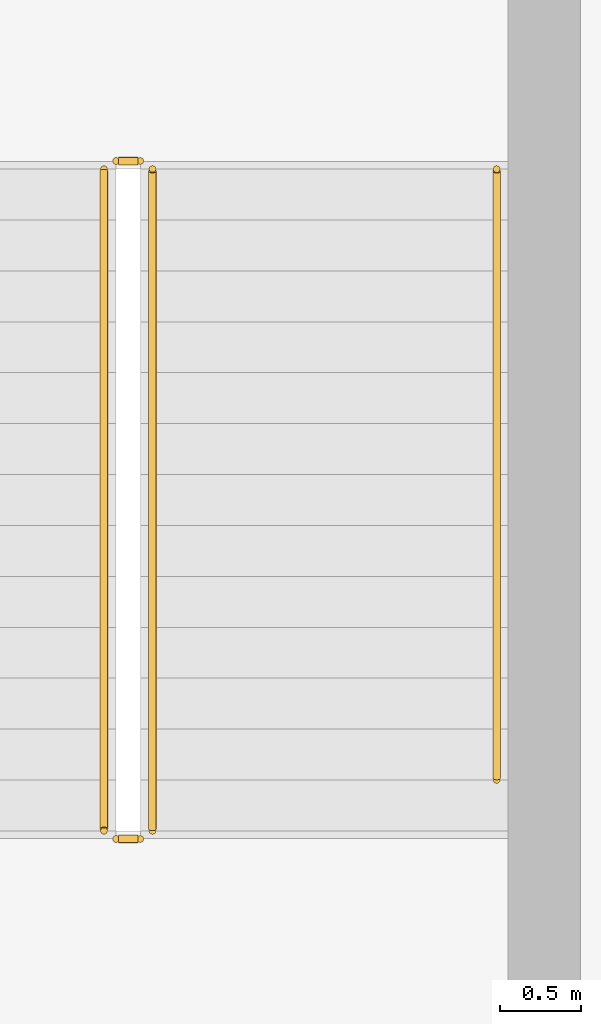
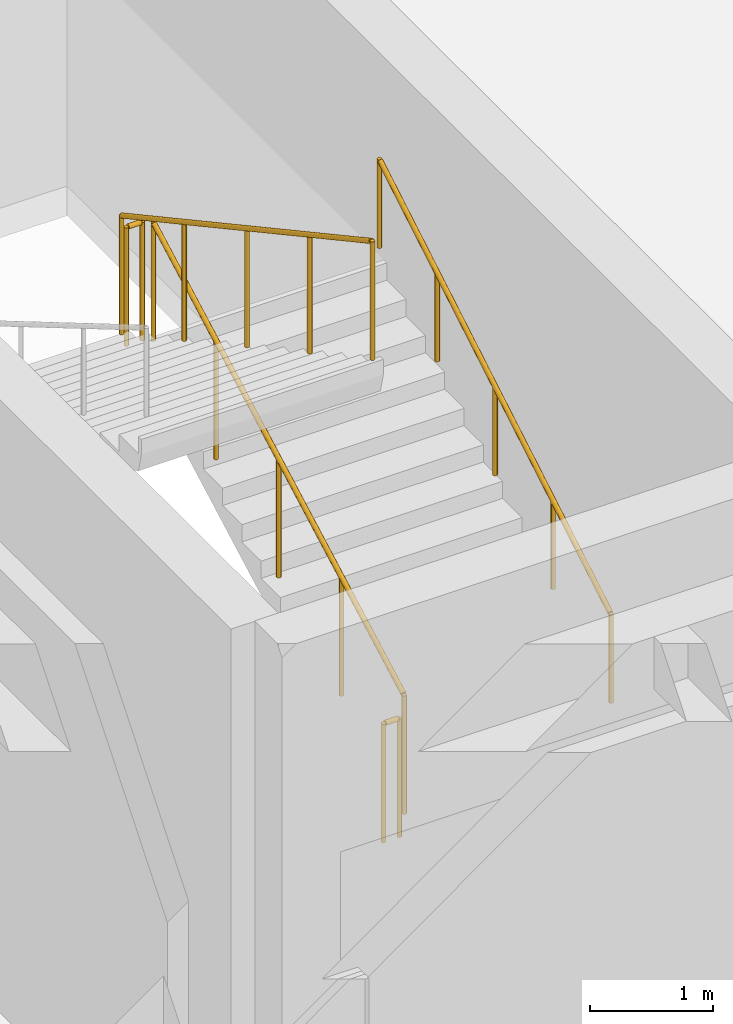
# One storey, part 127 of 133: 5 railings.
"""IFC4 building model written with IfcOpenShell, lengths in metres."""

from ifc_helpers import new_model, si_unit, direction, frame, origin, origin_2d, place, context, subcontext, project, spatial, circle, extrude, material, type_object, element, save


model = new_model("IFC4")

# Units and contexts
model_context = context("Model", 3, precision=1e-05, world=origin(), true_north=direction((0.0, 1.0)))
body_context = subcontext(model_context, "Body", "Model", "MODEL_VIEW")
ifc_project = project(units=[si_unit("LENGTHUNIT", "METRE"), si_unit("AREAUNIT", "SQUARE_METRE"), si_unit("VOLUMEUNIT", "CUBIC_METRE"), si_unit("PLANEANGLEUNIT", "RADIAN"), si_unit("MASSUNIT", "GRAM", prefix="KILO")], contexts=[model_context])

# Site, building, storey
site_placement = place(None, origin())
site = spatial("IfcSite", under=ifc_project, at=site_placement, CompositionType="ELEMENT")
building_placement = place(site_placement, origin())
building = spatial("IfcBuilding", under=site, at=building_placement, Name="Nakhvara Creek Congress Hotel", CompositionType="ELEMENT")
storey_placement = place(building_placement, frame((0.0, 0.0, 11.39990234375)))
storey = spatial("IfcBuildingStorey", under=building, at=storey_placement, Name="L02", CompositionType="ELEMENT", Elevation=11.39990234375)

# Railings
ifc_material = material(Name="Brushed stainless steel 316L", Category="steel")
railing_type_1 = type_object("IfcRailingType", Name="RL-GUARD-1200", PredefinedType="GUARDRAIL", material=ifc_material)
railing_1_placement = place(storey_placement, frame((129.455078125, 32.679931640625, 0.171630859375)))
element("IfcRailing", 1, at=railing_1_placement, inside=storey, type_object=railing_type_1, Name="L02 ST06 stair guard 1", PredefinedType="GUARDRAIL", context=body_context, shape_type="SweptSolid", body=[
    extrude(circle(Radius=0.02392578125, at=origin_2d()), frame((0.0, 0.012939453125, 1.182861328125), z_axis=(0.0, 0.878355465225, 0.478008029963), x_axis=(-1.0, 0.0, 0.0)), (0.0, 0.0, 1.0), 4.6328125),
    extrude(circle(Radius=0.02099609375, at=origin_2d()), origin(), (0.0, 0.0, 1.0), 1.1806640625),
    extrude(circle(Radius=0.02099609375, at=origin_2d()), frame((0.0, 1.023681640625, 0.55712890625)), (0.0, 0.0, 1.0), 1.1806640625),
    extrude(circle(Radius=0.02099609375, at=origin_2d()), frame((0.0, 2.04736328125, 1.1142578125)), (0.0, 0.0, 1.0), 1.1806640625),
    extrude(circle(Radius=0.02099609375, at=origin_2d()), frame((0.0, 3.0712890625, 1.67138671875)), (0.0, 0.0, 1.0), 1.1806640625),
    extrude(circle(Radius=0.02099609375, at=origin_2d()), frame((0.0, 4.094970703125, 2.228515625)), (0.0, 0.0, 1.0), 1.1806640625),
])
railing_2_placement = place(storey_placement, frame((129.3798828125, 36.824951171875, 2.400146484375)))
element("IfcRailing", 2, at=railing_2_placement, inside=storey, type_object=railing_type_1, Name="L02 ST06 stair guard 2", PredefinedType="GUARDRAIL", context=body_context, shape_type="SweptSolid", body=[
    extrude(circle(Radius=0.02392578125, at=origin_2d()), frame((-0.0146484375, 0.0, 1.17578125), z_axis=(-1.0, 0.0, 0.0), x_axis=(0.0, -1.0, 0.0)), (0.0, 0.0, 1.0), 0.12060546875),
    extrude(circle(Radius=0.02099609375, at=origin_2d()), origin(), (0.0, 0.0, 1.0), 1.1806640625),
    extrude(circle(Radius=0.02099609375, at=origin_2d()), frame((-0.14990234375, 0.0, 0.0)), (0.0, 0.0, 1.0), 1.1806640625),
])
railing_3_placement = place(storey_placement, frame((129.155029296875, 36.77490234375, 2.571533203125)))
element("IfcRailing", 3, at=railing_3_placement, inside=storey, type_object=railing_type_1, Name="L02 ST06 stair guard 3", PredefinedType="GUARDRAIL", context=body_context, shape_type="SweptSolid", body=[
    extrude(circle(Radius=0.02392578125, at=origin_2d()), frame((0.0, -0.012939453125, 1.182861328125), z_axis=(0.0, -0.878355465225, 0.478008029963), x_axis=(1.0, 0.0, 0.0)), (0.0, 0.0, 1.0), 4.6328125),
    extrude(circle(Radius=0.02099609375, at=origin_2d()), origin(), (0.0, 0.0, 1.0), 1.1806640625),
    extrude(circle(Radius=0.02099609375, at=origin_2d()), frame((0.0, -1.023681640625, 0.55712890625)), (0.0, 0.0, 1.0), 1.1806640625),
    extrude(circle(Radius=0.02099609375, at=origin_2d()), frame((0.0, -2.04736328125, 1.1142578125)), (0.0, 0.0, 1.0), 1.1806640625),
    extrude(circle(Radius=0.02099609375, at=origin_2d()), frame((0.0, -3.0712890625, 1.67138671875)), (0.0, 0.0, 1.0), 1.1806640625),
    extrude(circle(Radius=0.02099609375, at=origin_2d()), frame((0.0, -4.094970703125, 2.228515625)), (0.0, 0.0, 1.0), 1.1806640625),
])
railing_4_placement = place(storey_placement, frame((129.3798828125, 32.6298828125, 0.0)))
element("IfcRailing", 4, at=railing_4_placement, inside=storey, type_object=railing_type_1, Name="L02 ST06 stair guard 4", PredefinedType="GUARDRAIL", context=body_context, shape_type="SweptSolid", body=[
    extrude(circle(Radius=0.02392578125, at=origin_2d()), frame((-0.0146484375, 0.0, 1.17578125), z_axis=(-1.0, 0.0, 0.0), x_axis=(0.0, -1.0, 0.0)), (0.0, 0.0, 1.0), 0.12060546875),
    extrude(circle(Radius=0.02099609375, at=origin_2d()), origin(), (0.0, 0.0, 1.0), 1.1806640625),
    extrude(circle(Radius=0.02099609375, at=origin_2d()), frame((-0.14990234375, 0.0, 0.0)), (0.0, 0.0, 1.0), 1.1806640625),
])
railing_type_2 = type_object("IfcRailingType", Name="RL-HAND-900", PredefinedType="HANDRAIL", material=ifc_material)
railing_5_placement = place(storey_placement, frame((131.5849609375, 32.9951171875, 0.343017578125)))
element("IfcRailing", 5, at=railing_5_placement, inside=storey, type_object=railing_type_2, Name="L02 ST06 stair handrail 1", PredefinedType="HANDRAIL", context=body_context, shape_type="SweptSolid", body=[
    extrude(circle(Radius=0.02392578125, at=origin_2d()), frame((0.0, 0.0126953125, 0.88330078125), z_axis=(0.0, 0.860328540156, 0.509739936627), x_axis=(-1.0, 0.0, 0.0)), (0.0, 0.0, 1.0), 4.364013671875),
    extrude(circle(Radius=0.02099609375, at=origin_2d()), origin(), (0.0, 0.0, 1.0), 0.880615234375),
    extrude(circle(Radius=0.02099609375, at=origin_2d()), frame((0.0, 0.94482421875, 0.559814453125)), (0.0, 0.0, 1.0), 0.880615234375),
    extrude(circle(Radius=0.02099609375, at=origin_2d()), frame((0.0, 1.889892578125, 1.11962890625)), (0.0, 0.0, 1.0), 0.880615234375),
    extrude(circle(Radius=0.02099609375, at=origin_2d()), frame((0.0, 2.8349609375, 1.6796875)), (0.0, 0.0, 1.0), 0.880615234375),
    extrude(circle(Radius=0.02099609375, at=origin_2d()), frame((0.0, 3.77978515625, 2.239501953125)), (0.0, 0.0, 1.0), 0.880615234375),
])

save(model, "model.ifc")
